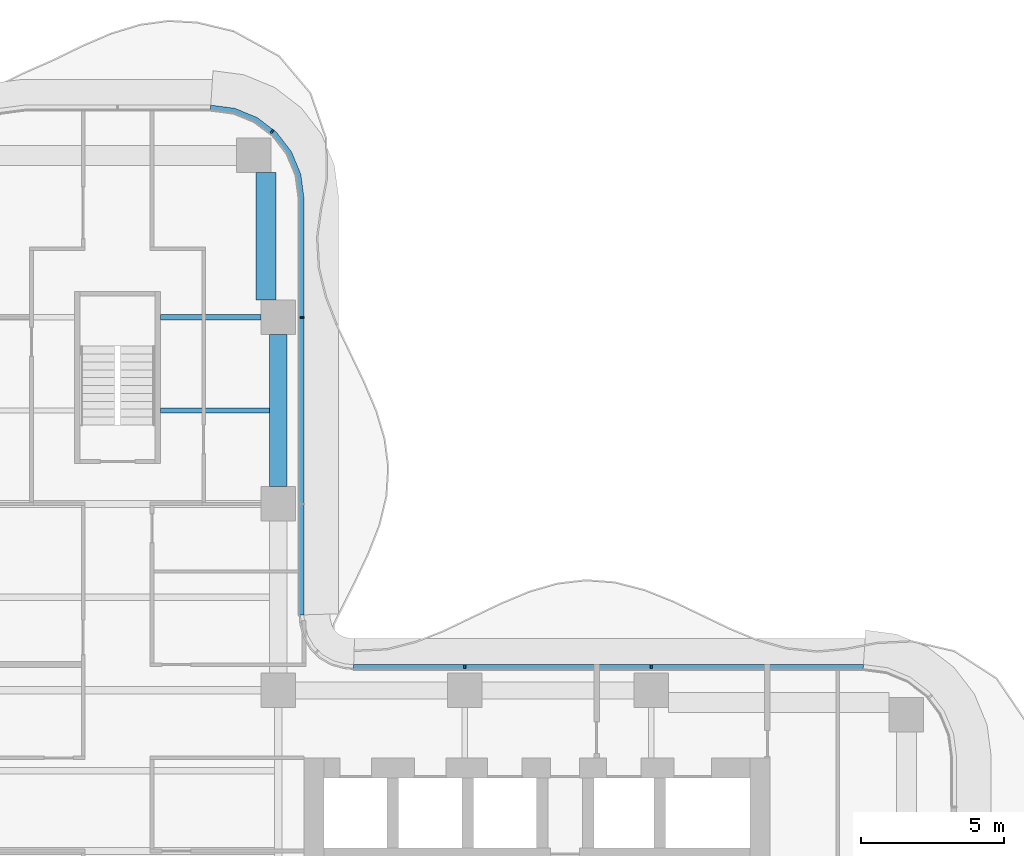
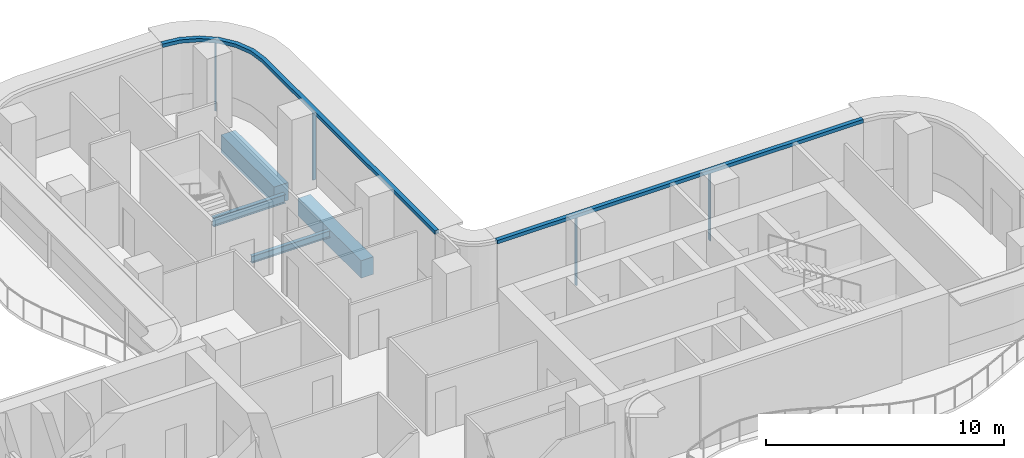
# One storey, part 8 of 17: 6 members, 4 beams, 2 elements without a shape of their own.
"""IFC4 building model written with IfcOpenShell, lengths in metres."""

from ifc_helpers import new_model, si_unit, direction, frame, origin, origin_2d, place, context, subcontext, project, spatial, polyline, rectangle, i_section, outline, extrude, source, transform, mapped, material, layer, layer_set, material_profile, profile_set, type_object, element, aggregate, save


model = new_model("IFC4")

# Units and contexts
model_context = context("Model", 3, precision=1e-05, world=origin(), true_north=direction((0.0, 1.0)))
body_context = subcontext(model_context, "Body", "Model", "MODEL_VIEW")
ifc_project = project(units=[si_unit("LENGTHUNIT", "METRE"), si_unit("AREAUNIT", "SQUARE_METRE"), si_unit("VOLUMEUNIT", "CUBIC_METRE"), si_unit("PLANEANGLEUNIT", "RADIAN"), si_unit("MASSUNIT", "GRAM", prefix="KILO")], contexts=[model_context])

# Site, building, storey
site_placement = place(None, origin())
site = spatial("IfcSite", under=ifc_project, at=site_placement, CompositionType="ELEMENT")
building_placement = place(site_placement, origin())
building = spatial("IfcBuilding", under=site, at=building_placement, Name="Trellis Farm Tower", CompositionType="ELEMENT")
storey_placement = place(building_placement, frame((0.0, 0.0, 181.5)))
storey = spatial("IfcBuildingStorey", under=building, at=storey_placement, Name="L39", CompositionType="ELEMENT", Elevation=181.5)

# Beams
ifc_material_1 = material(Name="Steel S355", Category="steel")
ifc_material_profile_1 = material_profile(ifc_material_1, i_section(OverallWidth=0.1904296875, OverallDepth=0.45703125, WebThickness=0.009033203125, FlangeThickness=0.014404296875, FilletRadius=0.01025390625, at=origin_2d()), Name="UB 457x191x74")
ifc_profile_set_1 = profile_set([ifc_material_profile_1], Name="Steel S355")
beam_type_1 = type_object("IfcBeamType", Name="UB 457x191x74", PredefinedType="BEAM", material=ifc_profile_set_1)
shared_shape_1 = source(origin(), body_context, "Body", "SweptSolid", [
    extrude(i_section(OverallWidth=0.1904296875, OverallDepth=0.45703125, WebThickness=0.009033203125, FlangeThickness=0.014404296875, FilletRadius=0.01025390625, at=origin_2d()), origin(), (0.0, 0.0, 1.0), 3.5),
])
beam_1_placement = place(storey_placement, frame((1.5, 18.60009765625, -0.428466796875), z_axis=(1.0, 0.0, 0.0), x_axis=(0.0, 1.0, 0.0)))
element("IfcBeam", 1, at=beam_1_placement, inside=storey, type_object=beam_type_1, Name="Girder", PredefinedType="BEAM", context=body_context, shape_type="MappedRepresentation", body=[
    mapped(shared_shape_1, transform((0.0, 0.0, 0.0))),
])
ifc_material_2 = material(Name="Concrete C60/75", Category="concrete")
ifc_material_profile_2 = material_profile(ifc_material_2, rectangle(XDim=0.60009765625, YDim=0.89990234375, at=origin_2d()), Name="RC spandrel beam 600x900 C60/75")
ifc_profile_set_2 = profile_set([ifc_material_profile_2], Name="Concrete C60/75")
beam_type_2 = type_object("IfcBeamType", Name="RC spandrel beam 600x900 C60/75", PredefinedType="SPANDREL", material=ifc_profile_set_2)
shared_shape_2 = source(origin(), body_context, "Body", "SweptSolid", [
    extrude(rectangle(XDim=0.60009765625, YDim=0.89990234375, at=origin_2d()), origin(), (0.0, 0.0, 1.0), 5.300048828125),
])
beam_2_placement = place(storey_placement, frame((5.60009765625, 12.699951171875, -0.64990234375), z_axis=(0.0, 1.0, 0.0), x_axis=(-1.0, 0.0, 0.0)))
element("IfcBeam", 2, at=beam_2_placement, inside=storey, type_object=beam_type_2, Name="Girder", PredefinedType="SPANDREL", context=body_context, shape_type="MappedRepresentation", body=[
    mapped(shared_shape_2, transform((0.0, 0.0, 0.0))),
])
ifc_material_profile_3 = material_profile(ifc_material_2, rectangle(XDim=0.699951171875, YDim=0.89990234375, at=origin_2d()), Name="RC spandrel beam 700x900 C60/75")
ifc_profile_set_3 = profile_set([ifc_material_profile_3], Name="Concrete C60/75")
beam_type_3 = type_object("IfcBeamType", Name="RC spandrel beam 700x900 C60/75", PredefinedType="SPANDREL", material=ifc_profile_set_3)
shared_shape_3 = source(origin(), body_context, "Body", "SweptSolid", [
    extrude(rectangle(XDim=0.699951171875, YDim=0.89990234375, at=origin_2d()), origin(), (0.0, 0.0, 1.0), 4.449951171875),
])
beam_3_placement = place(storey_placement, frame((5.175048828125, 19.199951171875, -0.64990234375), z_axis=(0.0, 1.0, 0.0), x_axis=(-1.0, 0.0, 0.0)))
element("IfcBeam", 3, at=beam_3_placement, inside=storey, type_object=beam_type_3, Name="Girder", PredefinedType="SPANDREL", context=body_context, shape_type="MappedRepresentation", body=[
    mapped(shared_shape_3, transform((0.0, 0.0, 0.0))),
])
ifc_material_profile_4 = material_profile(ifc_material_1, i_section(OverallWidth=0.17138671875, OverallDepth=0.35498046875, WebThickness=0.00732421875, FlangeThickness=0.011474609375, FilletRadius=0.01025390625, at=origin_2d()), Name="UB 356x171x51")
ifc_profile_set_4 = profile_set([ifc_material_profile_4], Name="Steel S355")
beam_type_4 = type_object("IfcBeamType", Name="UB 356x171x51 joist", PredefinedType="JOIST", material=ifc_profile_set_4)
shared_shape_4 = source(origin(), body_context, "Body", "SweptSolid", [
    extrude(i_section(OverallWidth=0.17138671875, OverallDepth=0.35498046875, WebThickness=0.00732421875, FlangeThickness=0.011474609375, FilletRadius=0.01025390625, at=origin_2d()), origin(), (0.0, 0.0, 1.0), 3.800048828125),
])
beam_4_placement = place(storey_placement, frame((1.5, 15.35009765625, -0.37744140625), z_axis=(1.0, 0.0, 0.0), x_axis=(0.0, 1.0, 0.0)))
element("IfcBeam", 4, at=beam_4_placement, inside=storey, type_object=beam_type_4, Name="Floor beam", PredefinedType="JOIST", context=body_context, shape_type="MappedRepresentation", body=[
    mapped(shared_shape_4, transform((0.0, 0.0, 0.0))),
])

# Curtain wall, member
ifc_material_3 = material(Name="Aluminium and glass curtain wall", Category="aluminium")
ifc_layer_1 = layer(ifc_material_3, 0.18994140625)
ifc_layer_set_1 = layer_set([ifc_layer_1], Name="RIBBON CURTAIN WALL CW1")
curtain_wall_type = type_object("IfcCurtainWallType", Name="RIBBON CURTAIN WALL CW1", PredefinedType="NOTDEFINED", material=ifc_layer_set_1)
placement_1 = place(storey_placement, origin())
curtain_wall_1 = element("IfcCurtainWall", 5, at=placement_1, inside=storey, type_object=curtain_wall_type, Name="CW1 009", PredefinedType="NOTDEFINED")
ifc_material_4 = material(Name="Aluminium extrusion 6063-T6", Category="aluminium")
ifc_layer_2 = layer(ifc_material_4, 0.199951171875)
ifc_layer_set_2 = layer_set([ifc_layer_2], Name="Aluminium extrusion 6063-T6")
member_type_1 = type_object("IfcMemberType", Name="CW1 TRANSOM 200x180", PredefinedType="USERDEFINED", material=ifc_layer_set_2)
shared_shape_5 = source(origin(), body_context, "Body", "SweptSolid", [
    extrude(outline(polyline([(6.5, 8.2314453125), (6.5, 22.75), (6.38916015625, 23.591064453125), (6.064697265625, 24.375), (5.548095703125, 25.048095703125), (4.875, 25.564697265625), (4.091064453125, 25.88916015625), (3.25, 26.0), (3.23681640625, 25.800048828125), (4.0390625, 25.6943359375), (4.774169921875, 25.389892578125), (5.405517578125, 24.905517578125), (5.889892578125, 24.274169921875), (6.1943359375, 23.5390625), (6.300048828125, 22.73681640625), (6.300048828125, 8.224853515625), (6.5, 8.2314453125)])), origin(), (0.0, 0.0, 1.0), 0.179931640625),
])
placement_2 = place(storey_placement, frame((0.0, 0.0, 3.52001953125)))
member_1 = element("IfcMember", 6, at=placement_2, type_object=member_type_1, Name="TR1 009", ObjectType="TRANSOM", PredefinedType="USERDEFINED", context=body_context, shape_type="MappedRepresentation", body=[
    mapped(shared_shape_5, transform((0.0, 0.0, 0.0))),
])

# Curtain wall, members
curtain_wall_2 = element("IfcCurtainWall", 7, at=placement_1, inside=storey, type_object=curtain_wall_type, Name="CW1 008", PredefinedType="NOTDEFINED")
shared_shape_6 = source(origin(), body_context, "Body", "SweptSolid", [
    extrude(outline(polyline([(26.0, 6.5), (8.2314453125, 6.5), (8.224853515625, 6.300048828125), (25.98681640625, 6.300048828125), (26.0, 6.5)])), origin(), (0.0, 0.0, 1.0), 0.179931640625),
])
member_2 = element("IfcMember", 8, at=placement_2, type_object=member_type_1, Name="TR1 008", ObjectType="TRANSOM", PredefinedType="USERDEFINED", context=body_context, shape_type="MappedRepresentation", body=[
    mapped(shared_shape_6, transform((0.0, 0.0, 0.0))),
])
ifc_material_profile_5 = material_profile(ifc_material_4, rectangle(XDim=0.06005859375, YDim=0.14990234375, at=origin_2d()), Name="MULLION 60x150")
ifc_profile_set_5 = profile_set([ifc_material_profile_5], Name="Aluminium extrusion 6063-T6")
member_type_2 = type_object("IfcMemberType", Name="CW1 MULLION 60x150", PredefinedType="MULLION", material=ifc_profile_set_5)
shared_shape_7 = source(origin(), body_context, "Body", "SweptSolid", [
    extrude(rectangle(XDim=0.06005859375, YDim=0.14990234375, at=origin_2d()), origin(), (0.0, 0.0, 1.0), 3.52001953125),
])
member_3_placement = place(storey_placement, frame((18.60009765625, 6.425048828125, 0.0), z_axis=(0.0, 0.0, 1.0), x_axis=(-1.0, 0.0, 0.0)))
member_3 = element("IfcMember", 9, at=member_3_placement, type_object=member_type_2, Name="MU1 008-01", PredefinedType="MULLION", context=body_context, shape_type="MappedRepresentation", body=[
    mapped(shared_shape_7, transform((0.0, 0.0, 0.0))),
])
member_4_placement = place(storey_placement, frame((12.10009765625, 6.425048828125, 0.0), z_axis=(0.0, 0.0, 1.0), x_axis=(-1.0, 0.0, 0.0)))
member_4 = element("IfcMember", 10, at=member_4_placement, type_object=member_type_2, Name="MU1 008-02", PredefinedType="MULLION", context=body_context, shape_type="MappedRepresentation", body=[
    mapped(shared_shape_7, transform((0.0, 0.0, 0.0))),
])
aggregate(curtain_wall_2, [member_3, member_4, member_2])

# Member
member_5_placement = place(storey_placement, frame((6.425048828125, 18.60009765625, 0.0), z_axis=(0.0, 0.0, 1.0), x_axis=(0.0, 1.0, 0.0)))
member_5 = element("IfcMember", 11, at=member_5_placement, type_object=member_type_2, Name="MU1 009-02", PredefinedType="MULLION", context=body_context, shape_type="MappedRepresentation", body=[
    mapped(shared_shape_7, transform((0.0, 0.0, 0.0))),
])

member_6_placement = place(storey_placement, frame((5.385498046875, 25.078369140625, 0.0), z_axis=(0.0, 0.0, 1.0), x_axis=(-0.793353340291, 0.608761429009, 0.0)))
member_6 = element("IfcMember", 12, at=member_6_placement, type_object=member_type_2, Name="MU1 009-03", PredefinedType="MULLION", context=body_context, shape_type="MappedRepresentation", body=[
    mapped(shared_shape_7, transform((0.0, 0.0, 0.0))),
])

aggregate(curtain_wall_1, [member_5, member_6, member_1])

save(model, "model.ifc")
